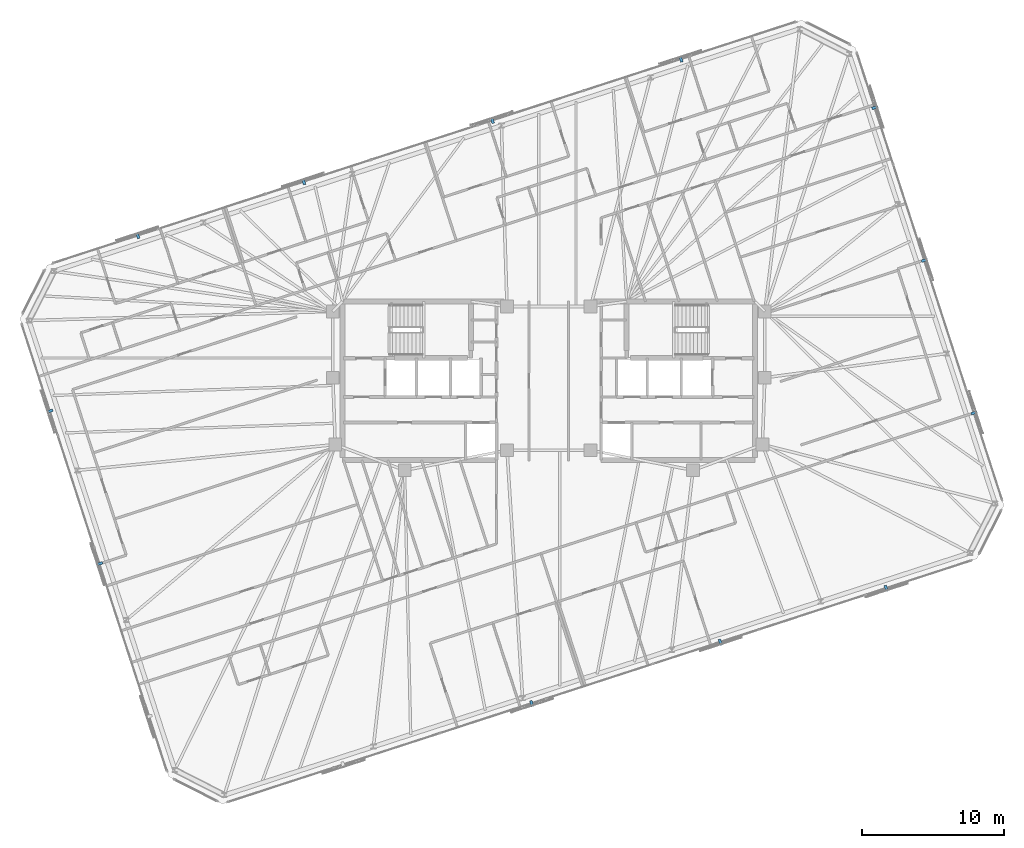
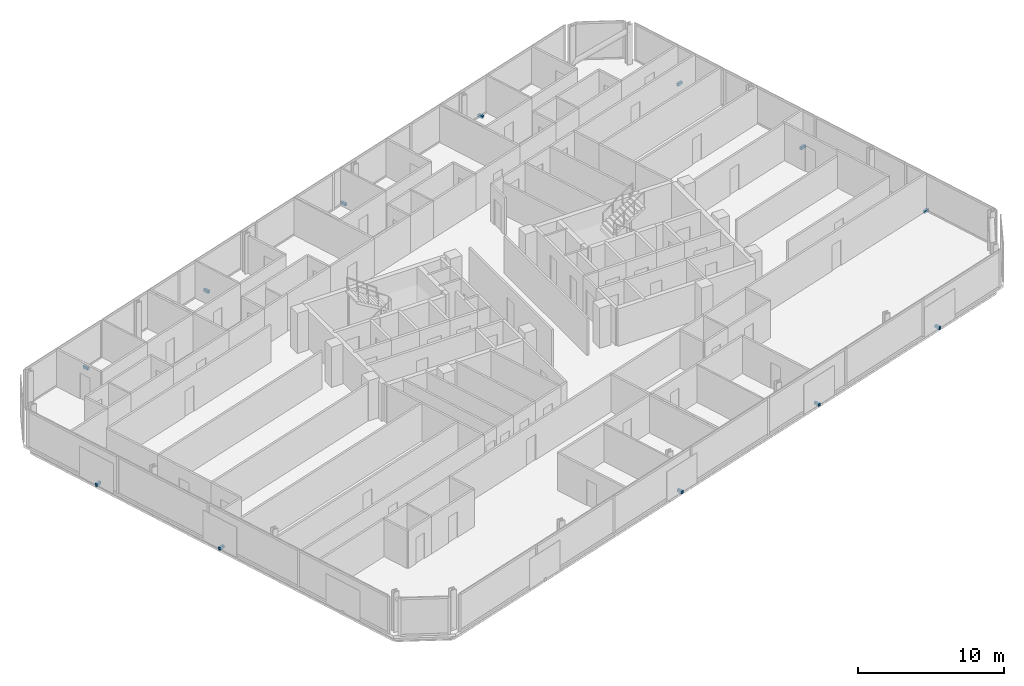
# One storey, part 19 of 20: 12 discrete accessories.
"""IFC4 building model written with IfcOpenShell, lengths in metres."""

from ifc_helpers import new_model, si_unit, direction, frame, origin, origin_2d, place, context, subcontext, project, spatial, rectangle, extrude, material, type_object, element, save


model = new_model("IFC4")

# Units and contexts
model_context = context("Model", 3, precision=1e-05, world=origin(), true_north=direction((0.0, 1.0)))
body_context = subcontext(model_context, "Body", "Model", "MODEL_VIEW")
ifc_project = project(units=[si_unit("LENGTHUNIT", "METRE"), si_unit("AREAUNIT", "SQUARE_METRE"), si_unit("VOLUMEUNIT", "CUBIC_METRE"), si_unit("PLANEANGLEUNIT", "RADIAN"), si_unit("MASSUNIT", "GRAM", prefix="KILO")], contexts=[model_context])

# Site, building, storey
site_placement = place(None, origin())
site = spatial("IfcSite", under=ifc_project, at=site_placement, CompositionType="ELEMENT")
building_placement = place(site_placement, origin())
building = spatial("IfcBuilding", under=site, at=building_placement, Name="Menara Jurai Vektor", CompositionType="ELEMENT")
storey_placement = place(building_placement, frame((0.0, 0.0, 224.300048828125)))
storey = spatial("IfcBuildingStorey", under=building, at=storey_placement, Name="L59", CompositionType="ELEMENT", Elevation=224.300048828125)

# Discrete accessories
ifc_material = material(Name="Steel S355", Category="steel")
discrete_accessory_type = type_object("IfcDiscreteAccessoryType", Name="ENV-ACC-BRACKET", PredefinedType="BRACKET", material=ifc_material)
for number, where, z_axis, x_axis, name in (
    (1, (-1.2099609375, -22.7880859375, -0.1298828125), (0.0, 0.0, 1.0), (0.951056516295, 0.309016994375, 0.0), "Solar Screen Stand-Off Bracket L59-S02"),
    (2, (12.10498046875, -18.4619140625, -0.1298828125), (0.0, 0.0, 1.0), (0.951056516295, 0.309016994375, 0.0), "Solar Screen Stand-Off Bracket L59-S03"),
    (3, (23.822021484375, -14.65478515625, -0.1298828125), (0.0, 0.0, 1.0), (0.951056516295, 0.309016994375, 0.0), "Solar Screen Stand-Off Bracket L59-S04"),
    (4, (30.026611328125, -2.26416015625, -0.1298828125), (0.0, 0.0, 1.0), (-0.309016994375, 0.951056516295, 0.0), "Solar Screen Stand-Off Bracket L59-S05"),
    (5, (26.5244140625, 8.514404296875, -0.1298828125), (0.0, 0.0, 1.0), (-0.309016994375, 0.951056516295, 0.0), "Solar Screen Stand-Off Bracket L59-S06"),
    (6, (23.0224609375, 19.29296875, -0.1298828125), (0.0, 0.0, 1.0), (-0.309016994375, 0.951056516295, 0.0), "Solar Screen Stand-Off Bracket L59-S07"),
    (7, (9.32470703125, 22.71435546875, -0.1298828125), (0.0, 0.0, 1.0), (-0.951056516295, -0.309016994375, 0.0), "Solar Screen Stand-Off Bracket L59-S08"),
    (8, (-3.989990234375, 18.38818359375, -0.1298828125), (0.0, 0.0, 1.0), (-0.951056516295, -0.309016994375, 0.0), "Solar Screen Stand-Off Bracket L59-S09"),
    (9, (-17.304931640625, 14.06201171875, -0.1298828125), (0.0, 0.0, 1.0), (-0.951056516295, -0.309016994375, 0.0), "Solar Screen Stand-Off Bracket L59-S10"),
    (10, (-29.02197265625, 10.2548828125, -0.1298828125), (0.0, 0.0, 1.0), (-0.951056516295, -0.309016994375, 0.0), "Solar Screen Stand-Off Bracket L59-S11"),
    (11, (-35.226806640625, -2.1357421875, -0.1298828125), (0.0, 0.0, 1.0), (0.309016994375, -0.951056516295, 0.0), "Solar Screen Stand-Off Bracket L59-S12"),
    (12, (-31.724609375, -12.914306640625, -0.1298828125), (0.0, 0.0, 1.0), (0.309016994375, -0.951056516295, 0.0), "Solar Screen Stand-Off Bracket L59-S13"),
):
    element("IfcDiscreteAccessory", number, at=place(storey_placement, frame(where, z_axis=z_axis, x_axis=x_axis)), inside=storey, type_object=discrete_accessory_type, Name=name, PredefinedType="BRACKET", context=body_context, shape_type="SweptSolid", body=[
        extrude(rectangle(XDim=0.179931640625, YDim=0.43994140625, at=origin_2d()), origin(), (0.0, 0.0, 1.0), 0.219970703125),
    ])

save(model, "model.ifc")
